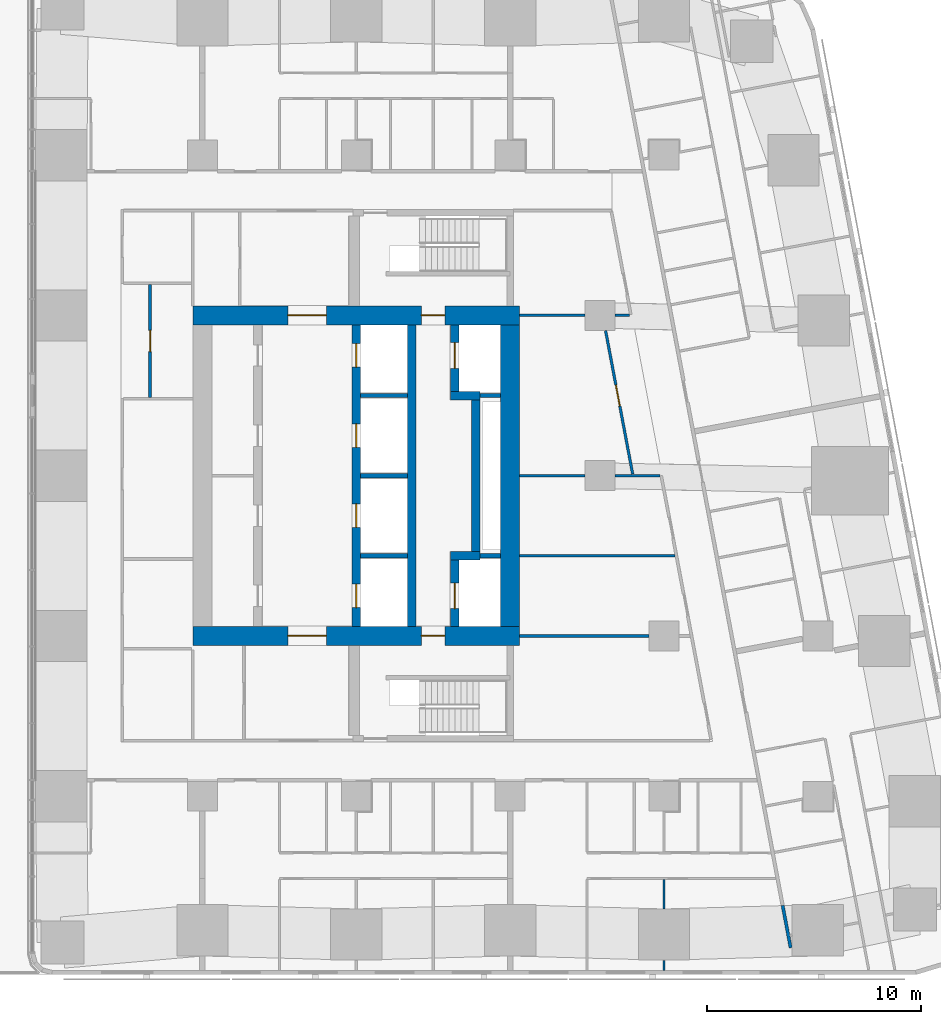
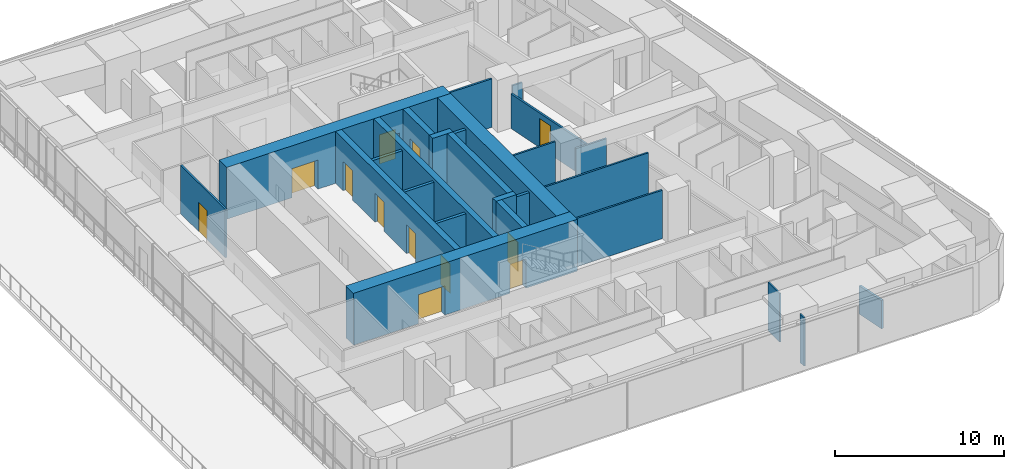
# One storey, part 9 of 17: 26 walls, 12 doors, 12 openings.
"""IFC4 building model written with IfcOpenShell, lengths in metres."""

from ifc_helpers import new_model, si_unit, direction, frame, frame_2d, origin, place, context, subcontext, project, spatial, rectangle, extrude, material, layer, layer_set, type_object, element, fill, save


model = new_model("IFC4")

# Units and contexts
model_context = context("Model", 3, precision=1e-05, world=origin(), true_north=direction((0.0, 1.0)))
body_context = subcontext(model_context, "Body", "Model", "MODEL_VIEW")
ifc_project = project(units=[si_unit("LENGTHUNIT", "METRE"), si_unit("AREAUNIT", "SQUARE_METRE"), si_unit("VOLUMEUNIT", "CUBIC_METRE"), si_unit("PLANEANGLEUNIT", "RADIAN"), si_unit("MASSUNIT", "GRAM", prefix="KILO")], contexts=[model_context])

# Site, building, storey
site_placement = place(None, origin())
site = spatial("IfcSite", under=ifc_project, at=site_placement, CompositionType="ELEMENT")
building_placement = place(site_placement, origin())
building = spatial("IfcBuilding", under=site, at=building_placement, Name="Sheger Commons Tower", CompositionType="ELEMENT")
storey_placement = place(building_placement, frame((0.0, 0.0, 193.699951171875)))
storey = spatial("IfcBuildingStorey", under=building, at=storey_placement, Name="L49", CompositionType="ELEMENT", Elevation=193.699951171875)

# Wall, openings, doors
ifc_material_1 = material(Name="Concrete C50/60", Category="concrete")
ifc_layer_1 = layer(ifc_material_1, 0.39990234375)
ifc_layer_set_1 = layer_set([ifc_layer_1], Name="CORE INNER WALL 400")
wall_type_1 = type_object("IfcWallType", Name="CORE INNER WALL 400", PredefinedType="SHEAR", material=ifc_layer_set_1)
wall_1_placement = place(storey_placement, frame((21.60009765625, 15.449951171875, 0.0), z_axis=(0.0, 0.0, 1.0), x_axis=(0.0, 1.0, 0.0)))
wall_1 = element("IfcWall", 1, at=wall_1_placement, inside=storey, type_object=wall_type_1, Name="Core inner wall L L49", PredefinedType="SHEAR", context=body_context, shape_type="SweptSolid", body=[
    extrude(rectangle(XDim=14.10009765625, YDim=0.39990234375, at=frame_2d((7.050048828125, 0.0))), origin(), (0.0, 0.0, 1.0), 3.75),
])
opening_1_placement = place(wall_1_placement, frame((0.875, 0.0, 0.0)))
opening_1 = element("IfcOpeningElement", 2, at=opening_1_placement, cuts=wall_1, Name="Opening LD", PredefinedType="OPENING", context=body_context, shape_type="SweptSolid", body=[
    extrude(rectangle(XDim=1.10009765625, YDim=2.10009765625, at=frame_2d((0.550048828125, 1.050048828125))), frame((0.0, 0.2099609375, 0.0), z_axis=(0.0, -1.0, 0.0), x_axis=(1.0, 0.0, 0.0)), (0.0, 0.0, 1.0), 0.419921875),
])
opening_2_placement = place(wall_1_placement, frame((4.625, 0.0, 0.0)))
opening_2 = element("IfcOpeningElement", 3, at=opening_2_placement, cuts=wall_1, Name="Opening LD", PredefinedType="OPENING", context=body_context, shape_type="SweptSolid", body=[
    extrude(rectangle(XDim=1.10009765625, YDim=2.10009765625, at=frame_2d((0.550048828125, 1.050048828125))), frame((0.0, 0.2099609375, 0.0), z_axis=(0.0, -1.0, 0.0), x_axis=(1.0, 0.0, 0.0)), (0.0, 0.0, 1.0), 0.419921875),
])
opening_3_placement = place(wall_1_placement, frame((8.375, 0.0, 0.0)))
opening_3 = element("IfcOpeningElement", 4, at=opening_3_placement, cuts=wall_1, Name="Opening LD", PredefinedType="OPENING", context=body_context, shape_type="SweptSolid", body=[
    extrude(rectangle(XDim=1.10009765625, YDim=2.10009765625, at=frame_2d((0.550048828125, 1.050048828125))), frame((0.0, 0.2099609375, 0.0), z_axis=(0.0, -1.0, 0.0), x_axis=(1.0, 0.0, 0.0)), (0.0, 0.0, 1.0), 0.419921875),
])
opening_4_placement = place(wall_1_placement, frame((12.125, 0.0, 0.0)))
opening_4 = element("IfcOpeningElement", 5, at=opening_4_placement, cuts=wall_1, Name="Opening LD", PredefinedType="OPENING", context=body_context, shape_type="SweptSolid", body=[
    extrude(rectangle(XDim=1.10009765625, YDim=2.10009765625, at=frame_2d((0.550048828125, 1.050048828125))), frame((0.0, 0.2099609375, 0.0), z_axis=(0.0, -1.0, 0.0), x_axis=(1.0, 0.0, 0.0)), (0.0, 0.0, 1.0), 0.419921875),
])
ifc_material_2 = material(Name="Steel door set, fire rated", Category="steel")
door_type_1 = type_object("IfcDoorType", Name="LIFT LANDING DOOR 1100x2100", OperationType="DOUBLE_DOOR_SLIDING", PredefinedType="DOOR", material=ifc_material_2)
door_1_placement = place(opening_1_placement, origin())
door_1 = element("IfcDoor", 6, at=door_1_placement, inside=storey, type_object=door_type_1, Name="Lift LB1 landing door", OperationType="DOUBLE_DOOR_SLIDING", OverallHeight=2.10009765625, OverallWidth=1.10009765625, PredefinedType="DOOR", context=body_context, shape_type="SweptSolid", body=[
    extrude(rectangle(XDim=1.10009765625, YDim=2.10009765625, at=frame_2d((0.550048828125, 1.050048828125))), frame((0.0, 0.02490234375, 0.0), z_axis=(0.0, -1.0, 0.0), x_axis=(1.0, 0.0, 0.0)), (0.0, 0.0, 1.0), 0.050048828125),
])
fill(opening_1, door_1)
door_2_placement = place(opening_2_placement, origin())
door_2 = element("IfcDoor", 7, at=door_2_placement, inside=storey, type_object=door_type_1, Name="Lift LB2 landing door", OperationType="DOUBLE_DOOR_SLIDING", OverallHeight=2.10009765625, OverallWidth=1.10009765625, PredefinedType="DOOR", context=body_context, shape_type="SweptSolid", body=[
    extrude(rectangle(XDim=1.10009765625, YDim=2.10009765625, at=frame_2d((0.550048828125, 1.050048828125))), frame((0.0, 0.02490234375, 0.0), z_axis=(0.0, -1.0, 0.0), x_axis=(1.0, 0.0, 0.0)), (0.0, 0.0, 1.0), 0.050048828125),
])
fill(opening_2, door_2)
door_3_placement = place(opening_3_placement, origin())
door_3 = element("IfcDoor", 8, at=door_3_placement, inside=storey, type_object=door_type_1, Name="Lift LB3 landing door", OperationType="DOUBLE_DOOR_SLIDING", OverallHeight=2.10009765625, OverallWidth=1.10009765625, PredefinedType="DOOR", context=body_context, shape_type="SweptSolid", body=[
    extrude(rectangle(XDim=1.10009765625, YDim=2.10009765625, at=frame_2d((0.550048828125, 1.050048828125))), frame((0.0, 0.02490234375, 0.0), z_axis=(0.0, -1.0, 0.0), x_axis=(1.0, 0.0, 0.0)), (0.0, 0.0, 1.0), 0.050048828125),
])
fill(opening_3, door_3)
door_4_placement = place(opening_4_placement, origin())
door_4 = element("IfcDoor", 9, at=door_4_placement, inside=storey, type_object=door_type_1, Name="Lift LB4 landing door", OperationType="DOUBLE_DOOR_SLIDING", OverallHeight=2.10009765625, OverallWidth=1.10009765625, PredefinedType="DOOR", context=body_context, shape_type="SweptSolid", body=[
    extrude(rectangle(XDim=1.10009765625, YDim=2.10009765625, at=frame_2d((0.550048828125, 1.050048828125))), frame((0.0, 0.02490234375, 0.0), z_axis=(0.0, -1.0, 0.0), x_axis=(1.0, 0.0, 0.0)), (0.0, 0.0, 1.0), 0.050048828125),
])
fill(opening_4, door_4)

# Wall
wall_2_placement = place(storey_placement, frame((24.199951171875, 15.449951171875, 0.0), z_axis=(0.0, 0.0, 1.0), x_axis=(0.0, 1.0, 0.0)))
element("IfcWall", 10, at=wall_2_placement, inside=storey, type_object=wall_type_1, Name="Core inner wall B L49", PredefinedType="SHEAR", context=body_context, shape_type="SweptSolid", body=[
    extrude(rectangle(XDim=14.10009765625, YDim=0.39990234375, at=frame_2d((7.050048828125, 0.0))), origin(), (0.0, 0.0, 1.0), 3.75),
])

# Wall, opening, door
wall_3_placement = place(storey_placement, frame((26.199951171875, 15.449951171875, 0.0), z_axis=(0.0, 0.0, 1.0), x_axis=(0.0, 1.0, 0.0)))
wall_3 = element("IfcWall", 11, at=wall_3_placement, inside=storey, type_object=wall_type_1, Name="Core inner wall F L49", PredefinedType="SHEAR", context=body_context, shape_type="SweptSolid", body=[
    extrude(rectangle(XDim=3.10009765625, YDim=0.39990234375, at=frame_2d((1.550048828125, 0.0))), origin(), (0.0, 0.0, 1.0), 3.75),
])
opening_5_placement = place(wall_3_placement, frame((0.824951171875, 0.0, 0.0)))
opening_5 = element("IfcOpeningElement", 12, at=opening_5_placement, cuts=wall_3, Name="Opening LD2", PredefinedType="OPENING", context=body_context, shape_type="SweptSolid", body=[
    extrude(rectangle(XDim=1.199951171875, YDim=2.10009765625, at=frame_2d((0.60009765625, 1.050048828125))), frame((0.0, 0.2099609375, 0.0), z_axis=(0.0, -1.0, 0.0), x_axis=(1.0, 0.0, 0.0)), (0.0, 0.0, 1.0), 0.419921875),
])
ifc_material_3 = material(Name="Steel door set, fire rated", Category="steel")
door_type_2 = type_object("IfcDoorType", Name="FIREFIGHTING LIFT LANDING DOOR 1200x2100", OperationType="DOUBLE_DOOR_SLIDING", PredefinedType="DOOR", material=ifc_material_3)
door_5_placement = place(opening_5_placement, origin())
door_5 = element("IfcDoor", 13, at=door_5_placement, inside=storey, type_object=door_type_2, Name="Lift FL1 landing door", OperationType="DOUBLE_DOOR_SLIDING", OverallHeight=2.10009765625, OverallWidth=1.199951171875, PredefinedType="DOOR", context=body_context, shape_type="SweptSolid", body=[
    extrude(rectangle(XDim=1.199951171875, YDim=2.10009765625, at=frame_2d((0.60009765625, 1.050048828125))), frame((0.0, 0.02490234375, 0.0), z_axis=(0.0, -1.0, 0.0), x_axis=(1.0, 0.0, 0.0)), (0.0, 0.0, 1.0), 0.050048828125),
])
fill(opening_5, door_5)

# Walls
wall_4_placement = place(storey_placement, frame((26.0, 18.75, 0.0), z_axis=(0.0, 0.0, 1.0), x_axis=(1.0, 0.0, 0.0)))
element("IfcWall", 14, at=wall_4_placement, inside=storey, type_object=wall_type_1, Name="Core inner wall F south return L49", PredefinedType="SHEAR", context=body_context, shape_type="SweptSolid", body=[
    extrude(rectangle(XDim=1.39990234375, YDim=0.39990234375, at=frame_2d((0.699951171875, 0.0))), origin(), (0.0, 0.0, 1.0), 3.75),
])
wall_5_placement = place(storey_placement, frame((27.199951171875, 18.949951171875, 0.0), z_axis=(0.0, 0.0, 1.0), x_axis=(0.0, 1.0, 0.0)))
element("IfcWall", 15, at=wall_5_placement, inside=storey, type_object=wall_type_1, Name="Core inner wall F middle L49", PredefinedType="SHEAR", context=body_context, shape_type="SweptSolid", body=[
    extrude(rectangle(XDim=7.10009765625, YDim=0.39990234375, at=frame_2d((3.550048828125, 0.0))), origin(), (0.0, 0.0, 1.0), 3.75),
])
wall_6_placement = place(storey_placement, frame((26.0, 26.25, 0.0), z_axis=(0.0, 0.0, 1.0), x_axis=(1.0, 0.0, 0.0)))
element("IfcWall", 16, at=wall_6_placement, inside=storey, type_object=wall_type_1, Name="Core inner wall F north return L49", PredefinedType="SHEAR", context=body_context, shape_type="SweptSolid", body=[
    extrude(rectangle(XDim=1.39990234375, YDim=0.39990234375, at=frame_2d((0.699951171875, 0.0))), origin(), (0.0, 0.0, 1.0), 3.75),
])

# Wall, opening, door
wall_7_placement = place(storey_placement, frame((26.199951171875, 26.449951171875, 0.0), z_axis=(0.0, 0.0, 1.0), x_axis=(0.0, 1.0, 0.0)))
wall_7 = element("IfcWall", 17, at=wall_7_placement, inside=storey, type_object=wall_type_1, Name="Core inner wall F north L49", PredefinedType="SHEAR", context=body_context, shape_type="SweptSolid", body=[
    extrude(rectangle(XDim=3.10009765625, YDim=0.39990234375, at=frame_2d((1.550048828125, 0.0))), origin(), (0.0, 0.0, 1.0), 3.75),
])
opening_6_placement = place(wall_7_placement, frame((1.074951171875, 0.0, 0.0)))
opening_6 = element("IfcOpeningElement", 18, at=opening_6_placement, cuts=wall_7, Name="Opening LD2", PredefinedType="OPENING", context=body_context, shape_type="SweptSolid", body=[
    extrude(rectangle(XDim=1.199951171875, YDim=2.10009765625, at=frame_2d((0.60009765625, 1.050048828125))), frame((0.0, 0.2099609375, 0.0), z_axis=(0.0, -1.0, 0.0), x_axis=(1.0, 0.0, 0.0)), (0.0, 0.0, 1.0), 0.419921875),
])
door_6_placement = place(opening_6_placement, origin())
door_6 = element("IfcDoor", 19, at=door_6_placement, inside=storey, type_object=door_type_2, Name="Lift FL2 landing door", OperationType="DOUBLE_DOOR_SLIDING", OverallHeight=2.10009765625, OverallWidth=1.199951171875, PredefinedType="DOOR", context=body_context, shape_type="SweptSolid", body=[
    extrude(rectangle(XDim=1.199951171875, YDim=2.10009765625, at=frame_2d((0.60009765625, 1.050048828125))), frame((0.0, 0.02490234375, 0.0), z_axis=(0.0, -1.0, 0.0), x_axis=(1.0, 0.0, 0.0)), (0.0, 0.0, 1.0), 0.050048828125),
])
fill(opening_6, door_6)

# Wall, openings, doors
ifc_material_4 = material(Name="Concrete C50/60", Category="concrete")
ifc_layer_2 = layer(ifc_material_4, 0.89990234375)
ifc_layer_set_2 = layer_set([ifc_layer_2], Name="CORE WALL 900")
wall_type_2 = type_object("IfcWallType", Name="CORE WALL 900", PredefinedType="SHEAR", material=ifc_layer_set_2)
wall_8_placement = place(storey_placement, frame((13.949951171875, 15.0, 0.0), z_axis=(0.0, 0.0, 1.0), x_axis=(1.0, 0.0, 0.0)))
wall_8 = element("IfcWall", 20, at=wall_8_placement, inside=storey, type_object=wall_type_2, Name="Core wall south L49", PredefinedType="SHEAR", context=body_context, shape_type="SweptSolid", body=[
    extrude(rectangle(XDim=15.300048828125, YDim=0.89990234375, at=frame_2d((7.64990234375, 0.0))), origin(), (0.0, 0.0, 1.0), 3.75),
])
opening_7_placement = place(wall_8_placement, frame((4.449951171875, 0.0, 0.0)))
opening_7 = element("IfcOpeningElement", 21, at=opening_7_placement, cuts=wall_8, Name="Opening D6", PredefinedType="OPENING", context=body_context, shape_type="SweptSolid", body=[
    extrude(rectangle(XDim=1.800048828125, YDim=2.10009765625, at=frame_2d((0.89990234375, 1.050048828125))), frame((0.0, 0.4599609375, 0.0), z_axis=(0.0, -1.0, 0.0), x_axis=(1.0, 0.0, 0.0)), (0.0, 0.0, 1.0), 0.919921875),
])
opening_8_placement = place(wall_8_placement, frame((10.699951171875, 0.0, 0.0)))
opening_8 = element("IfcOpeningElement", 22, at=opening_8_placement, cuts=wall_8, Name="Opening D5", PredefinedType="OPENING", context=body_context, shape_type="SweptSolid", body=[
    extrude(rectangle(XDim=1.10009765625, YDim=2.10009765625, at=frame_2d((0.550048828125, 1.050048828125))), frame((0.0, 0.4599609375, 0.0), z_axis=(0.0, -1.0, 0.0), x_axis=(1.0, 0.0, 0.0)), (0.0, 0.0, 1.0), 0.919921875),
])
ifc_material_5 = material(Name="Steel door set, fire rated", Category="steel")
door_type_3 = type_object("IfcDoorType", Name="LOBBY DOUBLE DOOR 1800x2100", OperationType="DOUBLE_DOOR_SINGLE_SWING", PredefinedType="DOOR", material=ifc_material_5)
door_7_placement = place(opening_7_placement, origin())
door_7 = element("IfcDoor", 23, at=door_7_placement, inside=storey, type_object=door_type_3, Name="Lift lobby door", OperationType="DOUBLE_DOOR_SINGLE_SWING", OverallHeight=2.10009765625, OverallWidth=1.800048828125, PredefinedType="DOOR", context=body_context, shape_type="SweptSolid", body=[
    extrude(rectangle(XDim=1.800048828125, YDim=2.10009765625, at=frame_2d((0.89990234375, 1.050048828125))), frame((0.0, 0.02490234375, 0.0), z_axis=(0.0, -1.0, 0.0), x_axis=(1.0, 0.0, 0.0)), (0.0, 0.0, 1.0), 0.050048828125),
])
fill(opening_7, door_7)
ifc_material_6 = material(Name="Steel door set, fire rated", Category="steel")
door_type_4 = type_object("IfcDoorType", Name="STAIR DOOR 1100x2100", OperationType="NOTDEFINED", PredefinedType="DOOR", material=ifc_material_6)
door_8_placement = place(opening_8_placement, origin())
door_8 = element("IfcDoor", 24, at=door_8_placement, inside=storey, type_object=door_type_4, Name="Fire-fighting lobby door", OperationType="SINGLE_SWING_LEFT", OverallHeight=2.10009765625, OverallWidth=1.10009765625, PredefinedType="DOOR", context=body_context, shape_type="SweptSolid", body=[
    extrude(rectangle(XDim=1.10009765625, YDim=2.10009765625, at=frame_2d((0.550048828125, 1.050048828125))), frame((0.0, 0.02490234375, 0.0), z_axis=(0.0, -1.0, 0.0), x_axis=(1.0, 0.0, 0.0)), (0.0, 0.0, 1.0), 0.050048828125),
])
fill(opening_8, door_8)

wall_9_placement = place(storey_placement, frame((13.949951171875, 30.0, 0.0), z_axis=(0.0, 0.0, 1.0), x_axis=(1.0, 0.0, 0.0)))
wall_9 = element("IfcWall", 25, at=wall_9_placement, inside=storey, type_object=wall_type_2, Name="Core wall north L49", PredefinedType="SHEAR", context=body_context, shape_type="SweptSolid", body=[
    extrude(rectangle(XDim=15.300048828125, YDim=0.89990234375, at=frame_2d((7.64990234375, 0.0))), origin(), (0.0, 0.0, 1.0), 3.75),
])
opening_9_placement = place(wall_9_placement, frame((4.449951171875, 0.0, 0.0)))
opening_9 = element("IfcOpeningElement", 26, at=opening_9_placement, cuts=wall_9, Name="Opening D6", PredefinedType="OPENING", context=body_context, shape_type="SweptSolid", body=[
    extrude(rectangle(XDim=1.800048828125, YDim=2.10009765625, at=frame_2d((0.89990234375, 1.050048828125))), frame((0.0, 0.4599609375, 0.0), z_axis=(0.0, -1.0, 0.0), x_axis=(1.0, 0.0, 0.0)), (0.0, 0.0, 1.0), 0.919921875),
])
opening_10_placement = place(wall_9_placement, frame((10.699951171875, 0.0, 0.0)))
opening_10 = element("IfcOpeningElement", 27, at=opening_10_placement, cuts=wall_9, Name="Opening D5", PredefinedType="OPENING", context=body_context, shape_type="SweptSolid", body=[
    extrude(rectangle(XDim=1.10009765625, YDim=2.10009765625, at=frame_2d((0.550048828125, 1.050048828125))), frame((0.0, 0.4599609375, 0.0), z_axis=(0.0, -1.0, 0.0), x_axis=(1.0, 0.0, 0.0)), (0.0, 0.0, 1.0), 0.919921875),
])
door_9_placement = place(opening_9_placement, origin())
door_9 = element("IfcDoor", 28, at=door_9_placement, inside=storey, type_object=door_type_3, Name="Lift lobby door", OperationType="DOUBLE_DOOR_SINGLE_SWING", OverallHeight=2.10009765625, OverallWidth=1.800048828125, PredefinedType="DOOR", context=body_context, shape_type="SweptSolid", body=[
    extrude(rectangle(XDim=1.800048828125, YDim=2.10009765625, at=frame_2d((0.89990234375, 1.050048828125))), frame((0.0, 0.02490234375, 0.0), z_axis=(0.0, -1.0, 0.0), x_axis=(1.0, 0.0, 0.0)), (0.0, 0.0, 1.0), 0.050048828125),
])
fill(opening_9, door_9)
door_10_placement = place(opening_10_placement, origin())
door_10 = element("IfcDoor", 29, at=door_10_placement, inside=storey, type_object=door_type_4, Name="Fire-fighting lobby door", OperationType="SINGLE_SWING_LEFT", OverallHeight=2.10009765625, OverallWidth=1.10009765625, PredefinedType="DOOR", context=body_context, shape_type="SweptSolid", body=[
    extrude(rectangle(XDim=1.10009765625, YDim=2.10009765625, at=frame_2d((0.550048828125, 1.050048828125))), frame((0.0, 0.02490234375, 0.0), z_axis=(0.0, -1.0, 0.0), x_axis=(1.0, 0.0, 0.0)), (0.0, 0.0, 1.0), 0.050048828125),
])
fill(opening_10, door_10)

# Walls
wall_10_placement = place(storey_placement, frame((28.800048828125, 15.449951171875, 0.0), z_axis=(0.0, 0.0, 1.0), x_axis=(0.0, 1.0, 0.0)))
element("IfcWall", 30, at=wall_10_placement, inside=storey, type_object=wall_type_2, Name="Core wall east L49", PredefinedType="SHEAR", context=body_context, shape_type="SweptSolid", body=[
    extrude(rectangle(XDim=14.10009765625, YDim=0.89990234375, at=frame_2d((7.050048828125, 0.0))), origin(), (0.0, 0.0, 1.0), 3.75),
])
ifc_material_7 = material(Name="Hollow concrete block masonry, skimmed both sides", Category="masonry")
ifc_layer_3 = layer(ifc_material_7, 0.14990234375)
ifc_layer_set_3 = layer_set([ifc_layer_3], Name="CORRIDOR WALL 150")
wall_type_3 = type_object("IfcWallType", Name="CORRIDOR WALL 150", PredefinedType="SOLIDWALL", material=ifc_layer_set_3)
wall_11_placement = place(storey_placement, frame((41.552001953125, 2.39208984375, 0.0), z_axis=(0.0, 0.0, 1.0), x_axis=(0.185535500323, -0.982637561932, 0.0)))
element("IfcWall", 31, at=wall_11_placement, inside=storey, type_object=wall_type_3, Name="Corridor wall L49", PredefinedType="SOLIDWALL", context=body_context, shape_type="SweptSolid", body=[
    extrude(rectangle(XDim=2.021240234375, YDim=0.14990234375, at=frame_2d((1.0107421875, 0.0))), origin(), (0.0, 0.0, 1.0), 2.050048828125),
])
ifc_material_8 = material(Name="Gypsum board on steel studs", Category="steel")
ifc_layer_4 = layer(ifc_material_8, 0.10009765625)
ifc_layer_set_4 = layer_set([ifc_layer_4], Name="PARTITION 100")
wall_type_4 = type_object("IfcWallType", Name="PARTITION 100", PredefinedType="PARTITIONING", material=ifc_layer_set_4)
wall_12_placement = place(storey_placement, frame((36.0, -0.64990234375, 0.0), z_axis=(0.0, 0.0, 1.0), x_axis=(0.0, 1.0, 0.0)))
element("IfcWall", 32, at=wall_12_placement, inside=storey, type_object=wall_type_4, Name="Partition L49", PredefinedType="PARTITIONING", context=body_context, shape_type="SweptSolid", body=[
    extrude(rectangle(XDim=0.473876953125, YDim=0.10009765625, at=frame_2d((0.23681640625, 0.0))), origin(), (0.0, 0.0, 1.0), 3.5),
])
wall_13_placement = place(storey_placement, frame((36.0, 2.22607421875, 0.0), z_axis=(0.0, 0.0, 1.0), x_axis=(0.0, 1.0, 0.0)))
element("IfcWall", 33, at=wall_13_placement, inside=storey, type_object=wall_type_4, Name="Partition L49", PredefinedType="PARTITIONING", context=body_context, shape_type="SweptSolid", body=[
    extrude(rectangle(XDim=1.3740234375, YDim=0.10009765625, at=frame_2d((0.68701171875, 0.0))), origin(), (0.0, 0.0, 1.0), 3.5),
])

# Wall, opening, door
ifc_material_9 = material(Name="Gypsum board on steel studs, two layers each side, fire rated", Category="steel")
ifc_layer_5 = layer(ifc_material_9, 0.125)
ifc_layer_set_5 = layer_set([ifc_layer_5], Name="SERVICE WALL 125")
wall_type_5 = type_object("IfcWallType", Name="SERVICE WALL 125", PredefinedType="PARTITIONING", material=ifc_layer_set_5)
wall_14_placement = place(storey_placement, frame((11.949951171875, 26.1630859375, 0.0), z_axis=(0.0, 0.0, 1.0), x_axis=(0.0, 1.0, 0.0)))
wall_14 = element("IfcWall", 34, at=wall_14_placement, inside=storey, type_object=wall_type_5, Name="Service room wall L49", PredefinedType="PARTITIONING", context=body_context, shape_type="SweptSolid", body=[
    extrude(rectangle(XDim=5.27490234375, YDim=0.125, at=frame_2d((2.637451171875, 0.0))), origin(), (0.0, 0.0, 1.0), 3.5),
])
opening_11_placement = place(wall_14_placement, frame((2.136962890625, 0.0, 0.0)))
opening_11 = element("IfcOpeningElement", 35, at=opening_11_placement, cuts=wall_14, Name="Opening D4", PredefinedType="OPENING", context=body_context, shape_type="SweptSolid", body=[
    extrude(rectangle(XDim=1.0, YDim=2.10009765625, at=frame_2d((0.5, 1.050048828125))), frame((0.0, 0.072509765625, 0.0), z_axis=(0.0, -1.0, 0.0), x_axis=(1.0, 0.0, 0.0)), (0.0, 0.0, 1.0), 0.14501953125),
])
ifc_material_10 = material(Name="Steel door set, fire rated", Category="steel")
door_type_5 = type_object("IfcDoorType", Name="SERVICE DOOR 1000x2100", OperationType="NOTDEFINED", PredefinedType="DOOR", material=ifc_material_10)
door_11_placement = place(opening_11_placement, origin())
door_11 = element("IfcDoor", 36, at=door_11_placement, inside=storey, type_object=door_type_5, Name="Laundry and drying room door", OperationType="SINGLE_SWING_RIGHT", OverallHeight=2.10009765625, OverallWidth=1.0, PredefinedType="DOOR", context=body_context, shape_type="SweptSolid", body=[
    extrude(rectangle(XDim=1.0, YDim=2.10009765625, at=frame_2d((0.5, 1.050048828125))), frame((0.0, 0.02490234375, 0.0), z_axis=(0.0, -1.0, 0.0), x_axis=(1.0, 0.0, 0.0)), (0.0, 0.0, 1.0), 0.050048828125),
])
fill(opening_11, door_11)

wall_15_placement = place(storey_placement, frame((34.534912109375, 22.573974609375, 0.0), z_axis=(0.0, 0.0, 1.0), x_axis=(-0.185576487128, 0.982629822174, 0.0)))
wall_15 = element("IfcWall", 37, at=wall_15_placement, inside=storey, type_object=wall_type_5, Name="Service room wall L49", PredefinedType="PARTITIONING", context=body_context, shape_type="SweptSolid", body=[
    extrude(rectangle(XDim=6.831787109375, YDim=0.125, at=frame_2d((3.416015625, 0.0))), origin(), (0.0, 0.0, 1.0), 2.5),
])
opening_12_placement = place(wall_15_placement, frame((3.240966796875, 0.0, 0.0)))
opening_12 = element("IfcOpeningElement", 38, at=opening_12_placement, cuts=wall_15, Name="Opening D4", PredefinedType="OPENING", context=body_context, shape_type="SweptSolid", body=[
    extrude(rectangle(XDim=1.0, YDim=2.10009765625, at=frame_2d((0.5, 1.050048828125))), frame((0.0, 0.072509765625, 0.0), z_axis=(0.0, -1.0, 0.0), x_axis=(1.0, 0.0, 0.0)), (0.0, 0.0, 1.0), 0.14501953125),
])
door_12_placement = place(opening_12_placement, origin())
door_12 = element("IfcDoor", 39, at=door_12_placement, inside=storey, type_object=door_type_5, Name="Residents' lounge door", OperationType="SINGLE_SWING_RIGHT", OverallHeight=2.10009765625, OverallWidth=1.0, PredefinedType="DOOR", context=body_context, shape_type="SweptSolid", body=[
    extrude(rectangle(XDim=1.0, YDim=2.10009765625, at=frame_2d((0.5, 1.050048828125))), frame((0.0, 0.02490234375, 0.0), z_axis=(0.0, -1.0, 0.0), x_axis=(1.0, 0.0, 0.0)), (0.0, 0.0, 1.0), 0.050048828125),
])
fill(opening_12, door_12)

# Walls
wall_16_placement = place(storey_placement, frame((29.25, 15.0, 0.0), z_axis=(0.0, 0.0, 1.0), x_axis=(1.0, 0.0, 0.0)))
element("IfcWall", 40, at=wall_16_placement, inside=storey, type_object=wall_type_5, Name="Service room wall L49", PredefinedType="PARTITIONING", context=body_context, shape_type="SweptSolid", body=[
    extrude(rectangle(XDim=6.049072265625, YDim=0.125, at=frame_2d((3.0244140625, 0.0))), origin(), (0.0, 0.0, 1.0), 3.5),
])
wall_17_placement = place(storey_placement, frame((29.25, 18.75, 0.0), z_axis=(0.0, 0.0, 1.0), x_axis=(1.0, 0.0, 0.0)))
element("IfcWall", 41, at=wall_17_placement, inside=storey, type_object=wall_type_5, Name="Service room wall L49", PredefinedType="PARTITIONING", context=body_context, shape_type="SweptSolid", body=[
    extrude(rectangle(XDim=7.25390625, YDim=0.125, at=frame_2d((3.626953125, 0.0))), origin(), (0.0, 0.0, 1.0), 3.5),
])
wall_18_placement = place(storey_placement, frame((29.25, 22.5, 0.0), z_axis=(0.0, 0.0, 1.0), x_axis=(1.0, 0.0, 0.0)))
element("IfcWall", 42, at=wall_18_placement, inside=storey, type_object=wall_type_5, Name="Service room wall L49", PredefinedType="PARTITIONING", context=body_context, shape_type="SweptSolid", body=[
    extrude(rectangle(XDim=3.049072265625, YDim=0.125, at=frame_2d((1.5244140625, 0.0))), origin(), (0.0, 0.0, 1.0), 3.5),
])
wall_19_placement = place(storey_placement, frame((33.700927734375, 22.5, 0.0), z_axis=(0.0, 0.0, 1.0), x_axis=(1.0, 0.0, 0.0)))
element("IfcWall", 43, at=wall_19_placement, inside=storey, type_object=wall_type_5, Name="Service room wall L49", PredefinedType="PARTITIONING", context=body_context, shape_type="SweptSolid", body=[
    extrude(rectangle(XDim=2.109130859375, YDim=0.125, at=frame_2d((1.0546875, 0.0))), origin(), (0.0, 0.0, 1.0), 2.5),
])
wall_20_placement = place(storey_placement, frame((29.25, 30.0, 0.0), z_axis=(0.0, 0.0, 1.0), x_axis=(1.0, 0.0, 0.0)))
element("IfcWall", 44, at=wall_20_placement, inside=storey, type_object=wall_type_5, Name="Service room wall L49", PredefinedType="PARTITIONING", context=body_context, shape_type="SweptSolid", body=[
    extrude(rectangle(XDim=3.049072265625, YDim=0.125, at=frame_2d((1.5244140625, 0.0))), origin(), (0.0, 0.0, 1.0), 3.5),
])
wall_21_placement = place(storey_placement, frame((33.700927734375, 30.0, 0.0), z_axis=(0.0, 0.0, 1.0), x_axis=(1.0, 0.0, 0.0)))
element("IfcWall", 45, at=wall_21_placement, inside=storey, type_object=wall_type_5, Name="Service room wall L49", PredefinedType="PARTITIONING", context=body_context, shape_type="SweptSolid", body=[
    extrude(rectangle(XDim=0.678955078125, YDim=0.125, at=frame_2d((0.33935546875, 0.0))), origin(), (0.0, 0.0, 1.0), 2.5),
])
ifc_material_11 = material(Name="Hollow concrete block masonry", Category="masonry")
ifc_layer_6 = layer(ifc_material_11, 0.199951171875)
ifc_layer_set_6 = layer_set([ifc_layer_6], Name="SHAFT WALL 200")
wall_type_6 = type_object("IfcWallType", Name="SHAFT WALL 200", PredefinedType="SOLIDWALL", material=ifc_layer_set_6)
for number, where, z_axis, x_axis, name in (
    (46, (21.800048828125, 18.75, 0.0), (0.0, 0.0, 1.0), (1.0, 0.0, 0.0), "Lift shaft wall L49"),
    (47, (21.800048828125, 22.5, 0.0), (0.0, 0.0, 1.0), (1.0, 0.0, 0.0), "Lift shaft wall L49"),
    (48, (21.800048828125, 26.25, 0.0), (0.0, 0.0, 1.0), (1.0, 0.0, 0.0), "Lift shaft wall L49"),
):
    element("IfcWall", number, at=place(storey_placement, frame(where, z_axis=z_axis, x_axis=x_axis)), inside=storey, type_object=wall_type_6, Name=name, PredefinedType="SOLIDWALL", context=body_context, shape_type="SweptSolid", body=[
        extrude(rectangle(XDim=2.199951171875, YDim=0.199951171875, at=frame_2d((1.10009765625, 0.0))), origin(), (0.0, 0.0, 1.0), 3.5),
    ])
for number, where, z_axis, x_axis, name in (
    (49, (27.39990234375, 18.75, 0.0), (0.0, 0.0, 1.0), (1.0, 0.0, 0.0), "Lift shaft wall L49"),
    (50, (27.39990234375, 26.25, 0.0), (0.0, 0.0, 1.0), (1.0, 0.0, 0.0), "Lift shaft wall L49"),
):
    element("IfcWall", number, at=place(storey_placement, frame(where, z_axis=z_axis, x_axis=x_axis)), inside=storey, type_object=wall_type_6, Name=name, PredefinedType="SOLIDWALL", context=body_context, shape_type="SweptSolid", body=[
        extrude(rectangle(XDim=0.9501953125, YDim=0.199951171875, at=frame_2d((0.47509765625, 0.0))), origin(), (0.0, 0.0, 1.0), 3.5),
    ])

save(model, "model.ifc")
